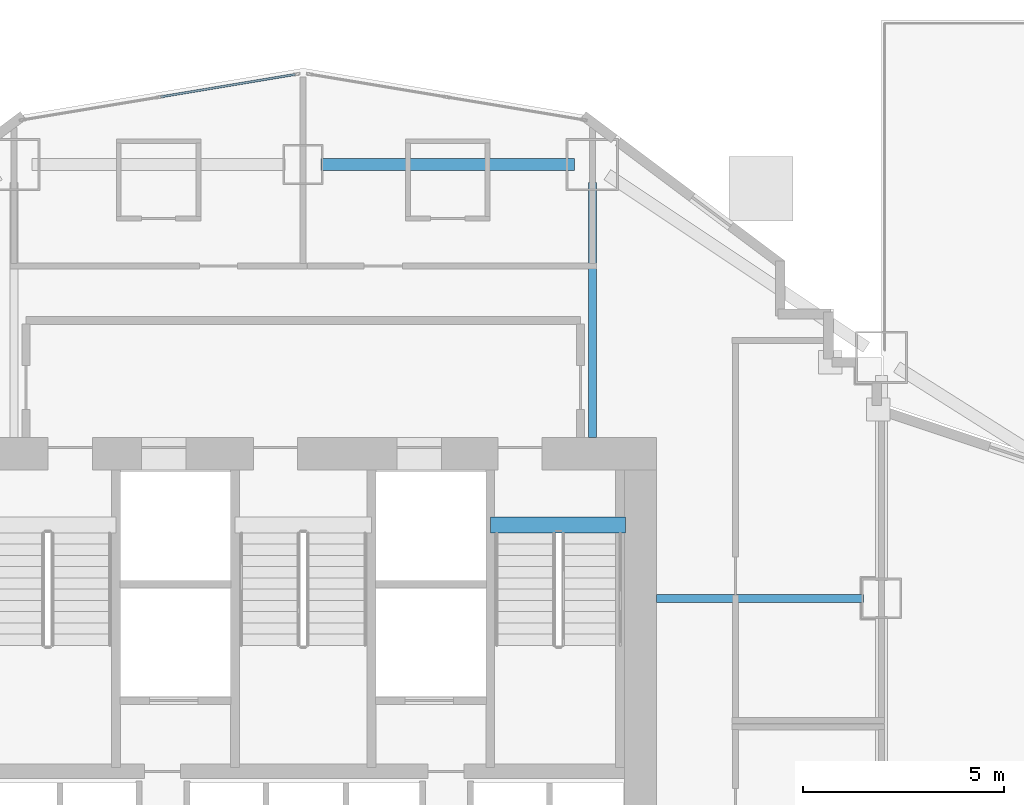
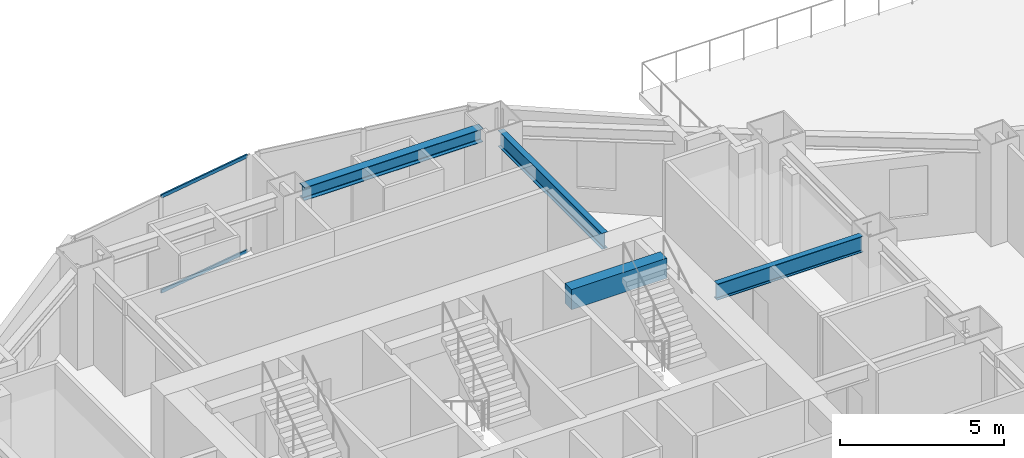
# One storey, part 3 of 20: 4 beams, 2 members, 1 element without a shape of its own.
"""IFC4 building model written with IfcOpenShell, lengths in metres."""

from ifc_helpers import new_model, si_unit, direction, frame, origin, origin_2d, place, context, subcontext, project, spatial, rectangle, hollow_rectangle, i_section, extrude, material, layer, layer_set, material_profile, profile_set, type_object, element, aggregate, save


model = new_model("IFC4")

# Units and contexts
model_context = context("Model", 3, precision=1e-05, world=origin(), true_north=direction((0.0, 1.0)))
body_context = subcontext(model_context, "Body", "Model", "MODEL_VIEW")
ifc_project = project(units=[si_unit("LENGTHUNIT", "METRE"), si_unit("AREAUNIT", "SQUARE_METRE"), si_unit("VOLUMEUNIT", "CUBIC_METRE"), si_unit("PLANEANGLEUNIT", "RADIAN"), si_unit("MASSUNIT", "GRAM", prefix="KILO")], contexts=[model_context])

# Site, building, storey
site_placement = place(None, origin())
site = spatial("IfcSite", under=ifc_project, at=site_placement, CompositionType="ELEMENT")
building_placement = place(site_placement, origin())
building = spatial("IfcBuilding", under=site, at=building_placement, Name="Haolan Belvedere Tower", CompositionType="ELEMENT")
storey_placement = place(building_placement, frame((0.0, 0.0, 24.0)))
storey = spatial("IfcBuildingStorey", under=building, at=storey_placement, Name="L05", CompositionType="ELEMENT", Elevation=24.0)

# Beams
ifc_material_1 = material(Name="Steel Q355B", Category="steel")
ifc_material_profile_1 = material_profile(ifc_material_1, i_section(OverallWidth=0.300048828125, OverallDepth=0.488037109375, WebThickness=0.010986328125, FlangeThickness=0.01806640625, FilletRadius=0.02587890625, at=origin_2d()), Name="Steel Q355B")
ifc_profile_set_1 = profile_set([ifc_material_profile_1], Name="Steel Q355B")
beam_type_1 = type_object("IfcBeamType", Name="BM-HM488x300x11x18", PredefinedType="SPANDREL", material=ifc_profile_set_1)
beam_1_placement = place(storey_placement, frame((38.85009765625, 50.39990234375, 3.35595703125), z_axis=(1.0, 0.0, 0.0), x_axis=(0.0, 1.0, 0.0)))
element("IfcBeam", 1, at=beam_1_placement, inside=storey, type_object=beam_type_1, Name="L05 spandrel girder TC-T3-NM-MC-T3-N2", PredefinedType="SPANDREL", context=body_context, shape_type="SweptSolid", body=[
    extrude(i_section(OverallWidth=0.300048828125, OverallDepth=0.488037109375, WebThickness=0.010986328125, FlangeThickness=0.01806640625, FilletRadius=0.02587890625, at=origin_2d()), origin(), (0.0, 0.0, 1.0), 6.2998046875),
])
ifc_material_profile_2 = material_profile(ifc_material_1, i_section(OverallWidth=0.199951171875, OverallDepth=0.60009765625, WebThickness=0.010986328125, FlangeThickness=0.01708984375, FilletRadius=0.02197265625, at=origin_2d()), Name="Steel Q355B")
ifc_profile_set_2 = profile_set([ifc_material_profile_2], Name="Steel Q355B")
beam_type_2 = type_object("IfcBeamType", Name="BM-HN600x200x11x17", PredefinedType="BEAM", material=ifc_profile_set_2)
beam_2_placement = place(storey_placement, frame((52.35009765625, 39.60009765625, 3.300048828125), z_axis=(-1.0, 0.0, 0.0), x_axis=(0.0, -1.0, 0.0)))
element("IfcBeam", 2, at=beam_2_placement, inside=storey, type_object=beam_type_2, Name="L05 core tie beam from TC-T3-E2", PredefinedType="BEAM", context=body_context, shape_type="SweptSolid", body=[
    extrude(i_section(OverallWidth=0.199951171875, OverallDepth=0.60009765625, WebThickness=0.010986328125, FlangeThickness=0.01708984375, FilletRadius=0.02197265625, at=origin_2d()), origin(), (0.0, 0.0, 1.0), 5.150146484375),
])
beam_3_placement = place(storey_placement, frame((45.60009765625, 49.949951171875, 3.300048828125), z_axis=(0.0, -1.0, 0.0), x_axis=(1.0, 0.0, 0.0)))
element("IfcBeam", 3, at=beam_3_placement, inside=storey, type_object=beam_type_2, Name="L05 core tie beam from MC-T3-N2", PredefinedType="BEAM", context=body_context, shape_type="SweptSolid", body=[
    extrude(i_section(OverallWidth=0.199951171875, OverallDepth=0.60009765625, WebThickness=0.010986328125, FlangeThickness=0.01708984375, FilletRadius=0.02197265625, at=origin_2d()), origin(), (0.0, 0.0, 1.0), 6.349853515625),
])
ifc_material_2 = material(Name="Concrete C50/60", Category="concrete")
ifc_material_profile_3 = material_profile(ifc_material_2, rectangle(XDim=0.39990234375, YDim=0.75, at=origin_2d()), Name="Concrete C50/60")
ifc_profile_set_3 = profile_set([ifc_material_profile_3], Name="Concrete C50/60")
beam_type_3 = type_object("IfcBeamType", Name="BM-RC400x750", PredefinedType="T_BEAM", material=ifc_profile_set_3)
beam_4_placement = place(storey_placement, frame((43.06005859375, 41.429931640625, 3.425048828125), z_axis=(1.0, 0.0, 0.0), x_axis=(0.0, 1.0, 0.0)))
element("IfcBeam", 4, at=beam_4_placement, inside=storey, type_object=beam_type_3, Name="L06 stair ST2 RC header trimmer beam", PredefinedType="BEAM", context=body_context, shape_type="SweptSolid", body=[
    extrude(rectangle(XDim=0.39990234375, YDim=0.75, at=origin_2d()), origin(), (0.0, 0.0, 1.0), 3.35986328125),
])

# Curtain wall, members
ifc_material_3 = material(Name="Anodised champagne-silver aluminium 6063-T6 and Low-E glass", Category="aluminium")
ifc_layer = layer(ifc_material_3, 0.1650390625, Name="Anodised champagne-silver aluminium 6063-T6 and Low-E glass")
ifc_layer_set = layer_set([ifc_layer], Name="Anodised champagne-silver aluminium 6063-T6 and Low-E glass")
curtain_wall_type = type_object("IfcCurtainWallType", Name="CW-SYS-02", PredefinedType="NOTDEFINED", material=ifc_layer_set)
curtain_wall_placement = place(storey_placement, origin())
curtain_wall = element("IfcCurtainWall", 5, at=curtain_wall_placement, inside=storey, type_object=curtain_wall_type, Name="L05 CW-SYS-02 ribbon curtain wall 43.1", PredefinedType="NOTDEFINED")
ifc_material_4 = material(Name="Anodised aluminium 6063-T6", Category="aluminium")
ifc_material_profile_4 = material_profile(ifc_material_4, hollow_rectangle(XDim=0.054931640625, YDim=0.1298828125, WallThickness=0.00390625, at=origin_2d()), Name="Anodised aluminium 6063-T6")
ifc_profile_set_4 = profile_set([ifc_material_profile_4], Name="Anodised aluminium 6063-T6")
member_type = type_object("IfcMemberType", Name="CW-SYS-02-TRN", PredefinedType="USERDEFINED", material=ifc_profile_set_4)
member_1_placement = place(storey_placement, frame((38.20263671875, 52.6455078125, 0.027587890625), z_axis=(-0.986393923832, -0.164398987305, 0.0), x_axis=(0.164398987305, -0.986393923832, 0.0)))
member_1 = element("IfcMember", 6, at=member_1_placement, type_object=member_type, Name="CW-02 transom 1.1", ObjectType="TRANSOM", PredefinedType="USERDEFINED", context=body_context, shape_type="SweptSolid", body=[
    extrude(hollow_rectangle(XDim=0.054931640625, YDim=0.1298828125, WallThickness=0.00390625, at=origin_2d()), origin(), (0.0, 0.0, 1.0), 3.394775390625),
])
member_2_placement = place(storey_placement, frame((38.20263671875, 52.6455078125, 3.572509765625), z_axis=(-0.986393923832, -0.164398987305, 0.0), x_axis=(0.164398987305, -0.986393923832, 0.0)))
member_2 = element("IfcMember", 7, at=member_2_placement, type_object=member_type, Name="CW-02 transom 1.2", ObjectType="TRANSOM", PredefinedType="USERDEFINED", context=body_context, shape_type="SweptSolid", body=[
    extrude(hollow_rectangle(XDim=0.054931640625, YDim=0.1298828125, WallThickness=0.00390625, at=origin_2d()), origin(), (0.0, 0.0, 1.0), 3.394775390625),
])
aggregate(curtain_wall, [member_1, member_2])

save(model, "model.ifc")
